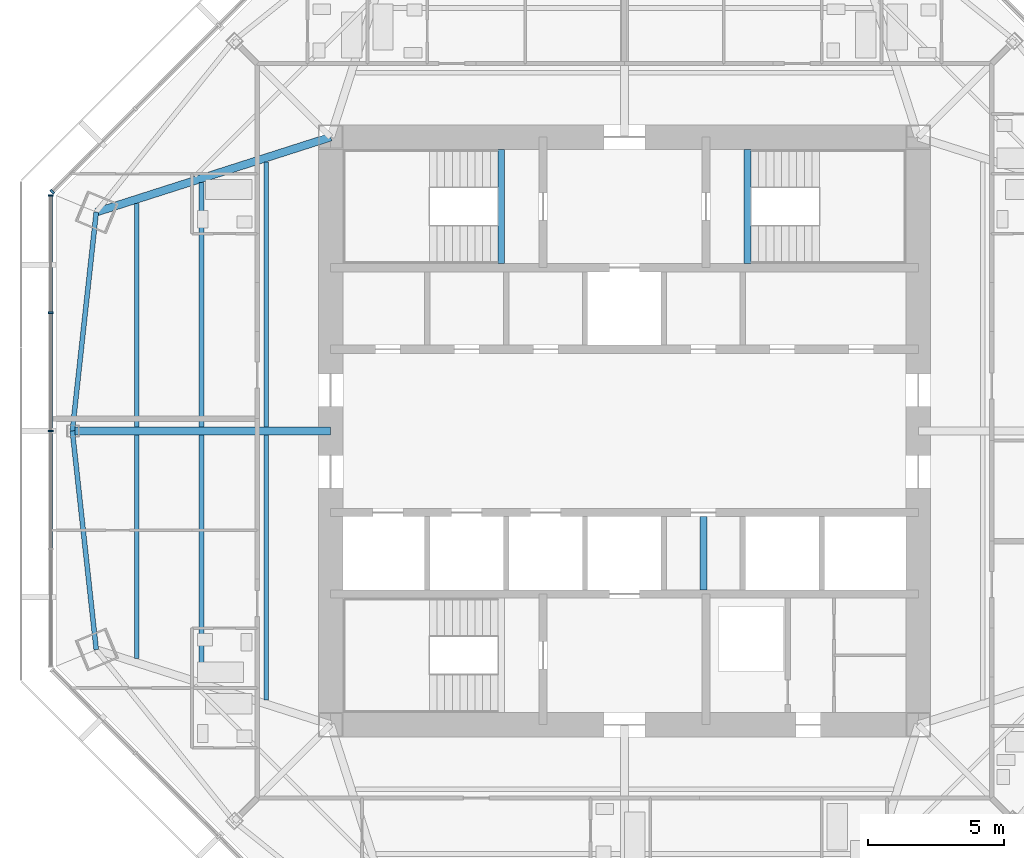
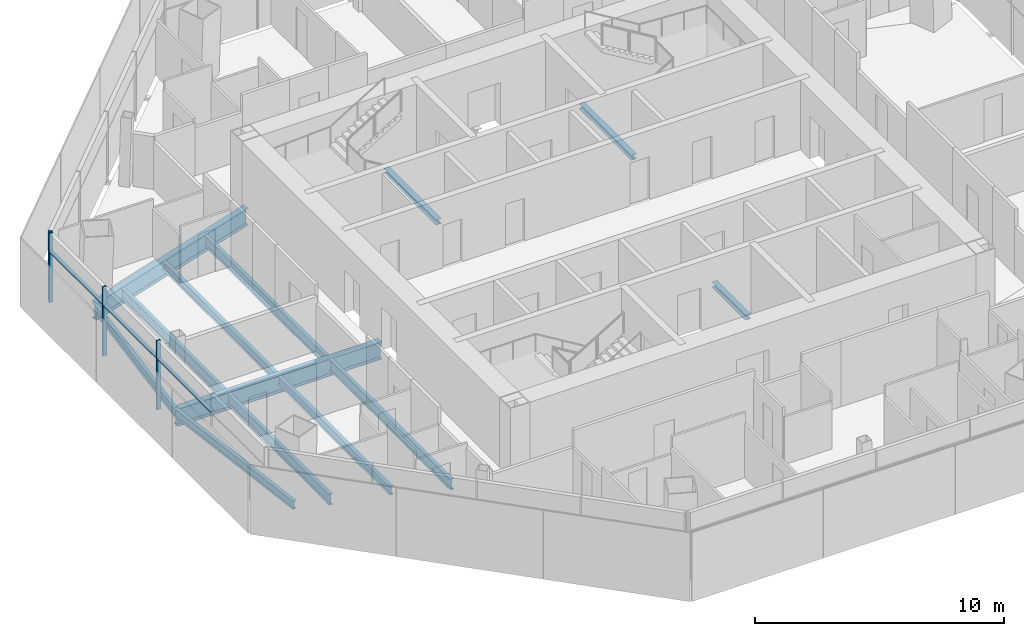
# One storey, part 3 of 14: 13 beams, 7 members, 2 elements without a shape of their own.
"""IFC4 building model written with IfcOpenShell, lengths in metres."""

from ifc_helpers import new_model, si_unit, direction, frame, origin, origin_2d, place, context, subcontext, project, spatial, rectangle, i_section, extrude, source, transform, mapped, material, material_profile, profile_set, type_object, type_shapes, element, aggregate, save


model = new_model("IFC4")

# Units and contexts
model_context = context("Model", 3, precision=1e-05, world=origin(), true_north=direction((0.0, 1.0)))
body_context = subcontext(model_context, "Body", "Model", "MODEL_VIEW")
ifc_project = project(units=[si_unit("LENGTHUNIT", "METRE"), si_unit("AREAUNIT", "SQUARE_METRE"), si_unit("VOLUMEUNIT", "CUBIC_METRE"), si_unit("PLANEANGLEUNIT", "RADIAN"), si_unit("MASSUNIT", "GRAM", prefix="KILO")], contexts=[model_context])

# Site, building, storey
site_placement = place(None, origin())
site = spatial("IfcSite", under=ifc_project, at=site_placement, CompositionType="ELEMENT")
building_placement = place(site_placement, origin())
building = spatial("IfcBuilding", under=site, at=building_placement, Name="Mashrafa Tower", CompositionType="ELEMENT")
storey_placement = place(building_placement, frame((0.0, 0.0, 244.800048828125)))
storey = spatial("IfcBuildingStorey", under=building, at=storey_placement, Name="L58", CompositionType="ELEMENT", Elevation=244.800048828125)

# Beams
ifc_material_1 = material(Name="Steel ASTM A992", Category="steel")
ifc_material_profile_1 = material_profile(ifc_material_1, i_section(OverallWidth=0.177734375, OverallDepth=0.406494140625, WebThickness=0.0078125, FlangeThickness=0.012939453125, FilletRadius=0.01025390625, at=origin_2d()), Name="W16X40")
ifc_profile_set_1 = profile_set([ifc_material_profile_1], Name="Steel ASTM A992")
beam_type_1 = type_object("IfcBeamType", Name="Beam W16X40", PredefinedType="BEAM", material=ifc_profile_set_1)
for number, where, z_axis, x_axis, name in (
    (1, (-15.547607421875, -9.127685546875, -0.4033203125), (0.0, 1.0, 0.0), (-1.0, 0.0, 0.0), "Floor beam L58 004"),
    (2, (-15.547607421875, 0.14599609375, -0.4033203125), (0.0, 1.0, 0.0), (-1.0, 0.0, 0.0), "Floor beam L58 005"),
):
    element("IfcBeam", number, at=place(storey_placement, frame(where, z_axis=z_axis, x_axis=x_axis)), inside=storey, type_object=beam_type_1, Name=name, PredefinedType="BEAM", context=body_context, shape_type="SweptSolid", body=[
        extrude(i_section(OverallWidth=0.177734375, OverallDepth=0.406494140625, WebThickness=0.0078125, FlangeThickness=0.012939453125, FilletRadius=0.01025390625, at=origin_2d()), origin(), (0.0, 0.0, 1.0), 8.981689453125),
    ])
for number, where, z_axis, x_axis, name in (
    (3, (-20.29541015625, 0.0, -0.4033203125), (0.108573300207, -0.994088446006, 0.0), (0.994088446006, 0.108573300207, 0.0), "Spandrel beam L58 049"),
    (4, (-19.4169921875, 8.042724609375, -0.4033203125), (-0.108573300207, -0.994088446006, 0.0), (0.994088446006, -0.108573300207, 0.0), "Spandrel beam L58 051"),
):
    element("IfcBeam", number, at=place(storey_placement, frame(where, z_axis=z_axis, x_axis=x_axis)), inside=storey, type_object=beam_type_1, Name=name, PredefinedType="BEAM", context=body_context, shape_type="SweptSolid", body=[
        extrude(i_section(OverallWidth=0.177734375, OverallDepth=0.406494140625, WebThickness=0.0078125, FlangeThickness=0.012939453125, FilletRadius=0.01025390625, at=origin_2d()), origin(), (0.0, 0.0, 1.0), 8.090576171875),
    ])
ifc_material_2 = material(Name="Steel ASTM A992", Category="steel")
ifc_material_profile_2 = material_profile(ifc_material_2, i_section(OverallWidth=0.165771484375, OverallDepth=0.5283203125, WebThickness=0.009765625, FlangeThickness=0.013671875, FilletRadius=0.012939453125, at=origin_2d()), Name="W21X50")
ifc_profile_set_2 = profile_set([ifc_material_profile_2], Name="Steel ASTM A992")
beam_type_2 = type_object("IfcBeamType", Name="Beam W21X50", PredefinedType="BEAM", material=ifc_profile_set_2)
for number, where, z_axis, x_axis, name in (
    (5, (-17.92138671875, -8.3681640625, -0.464111328125), (0.0, 1.0, 0.0), (-1.0, 0.0, 0.0), "Floor beam L58 001"),
    (6, (-17.92138671875, 0.14599609375, -0.464111328125), (0.0, 1.0, 0.0), (-1.0, 0.0, 0.0), "Floor beam L58 002"),
):
    element("IfcBeam", number, at=place(storey_placement, frame(where, z_axis=z_axis, x_axis=x_axis)), inside=storey, type_object=beam_type_2, Name=name, PredefinedType="BEAM", context=body_context, shape_type="SweptSolid", body=[
        extrude(i_section(OverallWidth=0.165771484375, OverallDepth=0.5283203125, WebThickness=0.009765625, FlangeThickness=0.013671875, FilletRadius=0.012939453125, at=origin_2d()), origin(), (0.0, 0.0, 1.0), 8.22216796875),
    ])
for number, where, z_axis, x_axis, name in (
    (7, (-13.173828125, -9.88720703125, -0.464111328125), (0.0, 1.0, 0.0), (-1.0, 0.0, 0.0), "Floor beam L58 006"),
    (8, (-13.173828125, 0.14599609375, -0.464111328125), (0.0, 1.0, 0.0), (-1.0, 0.0, 0.0), "Floor beam L58 007"),
):
    element("IfcBeam", number, at=place(storey_placement, frame(where, z_axis=z_axis, x_axis=x_axis)), inside=storey, type_object=beam_type_2, Name=name, PredefinedType="BEAM", context=body_context, shape_type="SweptSolid", body=[
        extrude(i_section(OverallWidth=0.165771484375, OverallDepth=0.5283203125, WebThickness=0.009765625, FlangeThickness=0.013671875, FilletRadius=0.012939453125, at=origin_2d()), origin(), (0.0, 0.0, 1.0), 9.7412109375),
    ])
ifc_material_3 = material(Name="Steel ASTM A992", Category="steel")
ifc_material_profile_3 = material_profile(ifc_material_3, i_section(OverallWidth=0.2919921875, OverallDepth=0.8408203125, WebThickness=0.0146484375, FlangeThickness=0.021728515625, FilletRadius=0.017333984375, at=origin_2d()), Name="W33X130")
ifc_profile_set_3 = profile_set([ifc_material_profile_3], Name="Steel ASTM A992")
beam_type_3 = type_object("IfcBeamType", Name="Beam W33X130", PredefinedType="BEAM", material=ifc_profile_set_3)
beam_1_placement = place(storey_placement, frame((-10.800048828125, 10.800048828125, -0.620361328125), z_axis=(-0.952427280358, -0.304765935809, 0.0), x_axis=(0.304765935809, -0.952427280358, 0.0)))
element("IfcBeam", 9, at=beam_1_placement, inside=storey, type_object=beam_type_3, Name="Radial girder L58 037", PredefinedType="BEAM", context=body_context, shape_type="SweptSolid", body=[
    extrude(i_section(OverallWidth=0.2919921875, OverallDepth=0.8408203125, WebThickness=0.0146484375, FlangeThickness=0.021728515625, FilletRadius=0.017333984375, at=origin_2d()), origin(), (0.0, 0.0, 1.0), 9.04736328125),
])
ifc_material_4 = material(Name="Steel ASTM A992", Category="steel")
ifc_material_profile_4 = material_profile(ifc_material_4, i_section(OverallWidth=0.2919921875, OverallDepth=0.8583984375, WebThickness=0.01708984375, FlangeThickness=0.031005859375, FilletRadius=0.017822265625, at=origin_2d()), Name="W33X169")
ifc_profile_set_4 = profile_set([ifc_material_profile_4], Name="Steel ASTM A992")
beam_type_4 = type_object("IfcBeamType", Name="Beam W33X169", PredefinedType="BEAM", material=ifc_profile_set_4)
beam_2_placement = place(storey_placement, frame((-10.800048828125, 0.0, -0.62939453125), z_axis=(-1.0, 0.0, 0.0), x_axis=(0.0, -1.0, 0.0)))
element("IfcBeam", 10, at=beam_2_placement, inside=storey, type_object=beam_type_4, Name="Radial girder L58 036", PredefinedType="BEAM", context=body_context, shape_type="SweptSolid", body=[
    extrude(i_section(OverallWidth=0.2919921875, OverallDepth=0.8583984375, WebThickness=0.01708984375, FlangeThickness=0.031005859375, FilletRadius=0.017822265625, at=origin_2d()), origin(), (0.0, 0.0, 1.0), 9.495361328125),
])
ifc_material_5 = material(Name="Steel ASTM A992", Category="steel")
ifc_material_profile_5 = material_profile(ifc_material_5, i_section(OverallWidth=0.25390625, OverallDepth=0.25390625, WebThickness=0.008544921875, FlangeThickness=0.01416015625, FilletRadius=0.010009765625, at=origin_2d()), Name="W10X49")
ifc_profile_set_5 = profile_set([ifc_material_profile_5], Name="Steel ASTM A992")
beam_type_5 = type_object("IfcBeamType", Name="Hoistway beam W10X49", PredefinedType="BEAM", material=ifc_profile_set_5)
beam_3_placement = place(storey_placement, frame((2.89990234375, -5.85009765625, -0.3271484375), z_axis=(0.0, 1.0, 0.0), x_axis=(-1.0, 0.0, 0.0)))
element("IfcBeam", 11, at=beam_3_placement, inside=storey, type_object=beam_type_5, Name="Hoistway beam L58 07", PredefinedType="BEAM", context=body_context, shape_type="SweptSolid", body=[
    extrude(i_section(OverallWidth=0.25390625, OverallDepth=0.25390625, WebThickness=0.008544921875, FlangeThickness=0.01416015625, FilletRadius=0.010009765625, at=origin_2d()), origin(), (0.0, 0.0, 1.0), 2.7001953125),
])
for number, where, z_axis, x_axis, name in (
    (12, (-4.530029296875, 6.14990234375, -0.3271484375), (0.0, 1.0, 0.0), (-1.0, 0.0, 0.0), "Stair S1 landing beam L58"),
    (13, (4.530029296875, 6.14990234375, -0.3271484375), (0.0, 1.0, 0.0), (-1.0, 0.0, 0.0), "Stair S2 landing beam L58"),
):
    element("IfcBeam", number, at=place(storey_placement, frame(where, z_axis=z_axis, x_axis=x_axis)), inside=storey, type_object=beam_type_5, Name=name, PredefinedType="BEAM", context=body_context, shape_type="SweptSolid", body=[
        extrude(i_section(OverallWidth=0.25390625, OverallDepth=0.25390625, WebThickness=0.008544921875, FlangeThickness=0.01416015625, FilletRadius=0.010009765625, at=origin_2d()), origin(), (0.0, 0.0, 1.0), 4.2001953125),
    ])

# Curtain wall, member
ifc_material_6 = material(Name="Unitised aluminium curtain wall", Category="aluminium")
curtain_wall_type = type_object("IfcCurtainWallType", Name="Apartment curtain wall, zone 3 CW-C 180 deep", PredefinedType="NOTDEFINED", material=ifc_material_6)
curtain_wall_1_placement = place(storey_placement, origin())
curtain_wall_1 = element("IfcCurtainWall", 14, at=curtain_wall_1_placement, inside=storey, type_object=curtain_wall_type, Name="Apartment curtain wall, zone 3 L58 north-west", PredefinedType="NOTDEFINED")
ifc_material_7 = material(Name="Extruded aluminium mullion", Category="aluminium")
ifc_material_profile_6 = material_profile(ifc_material_7, rectangle(XDim=0.179931640625, YDim=0.06005859375, at=origin_2d()), Name="Mullion 60x180")
ifc_profile_set_6 = profile_set([ifc_material_profile_6], Name="Extruded aluminium mullion")
member_type_1 = type_object("IfcMemberType", Name="Mullion CW-C 60 x 180", PredefinedType="MULLION", material=ifc_profile_set_6)
shared_shape_1 = source(origin(), body_context, "Body", "SweptSolid", [
    extrude(rectangle(XDim=0.179931640625, YDim=0.06005859375, at=origin_2d()), origin(), (0.0, 0.0, 1.0), 3.39990234375),
])
type_shapes(member_type_1, [shared_shape_1])
member_1_placement = place(storey_placement, frame((-21.034912109375, 8.790283203125, 0.0), z_axis=(0.0, 0.0, 1.0), x_axis=(0.707106781187, -0.707106781187, 0.0)))
member_1 = element("IfcMember", 15, at=member_1_placement, type_object=member_type_1, Name="CW-C mullion 5", PredefinedType="MULLION", context=body_context, shape_type="MappedRepresentation", body=[
    mapped(shared_shape_1, transform((0.0, 0.0, 0.0))),
])
aggregate(curtain_wall_1, [member_1])

# Curtain wall, members
curtain_wall_2_placement = place(storey_placement, origin())
curtain_wall_2 = element("IfcCurtainWall", 16, at=curtain_wall_2_placement, inside=storey, type_object=curtain_wall_type, Name="Apartment curtain wall, zone 3 L58 west", PredefinedType="NOTDEFINED")
member_2_placement = place(storey_placement, frame((-21.089599609375, 8.658447265625, 0.0), z_axis=(0.0, 0.0, 1.0), x_axis=(1.0, 0.0, 0.0)))
member_2 = element("IfcMember", 17, at=member_2_placement, type_object=member_type_1, Name="CW-C mullion 1", PredefinedType="MULLION", context=body_context, shape_type="MappedRepresentation", body=[
    mapped(shared_shape_1, transform((0.0, 0.0, 0.0))),
])
member_3_placement = place(storey_placement, frame((-21.089599609375, 4.34423828125, 0.0), z_axis=(0.0, 0.0, 1.0), x_axis=(1.0, 0.0, 0.0)))
member_3 = element("IfcMember", 18, at=member_3_placement, type_object=member_type_1, Name="CW-C mullion 2", PredefinedType="MULLION", context=body_context, shape_type="MappedRepresentation", body=[
    mapped(shared_shape_1, transform((0.0, 0.0, 0.0))),
])
member_4_placement = place(storey_placement, frame((-21.089599609375, 0.0, 0.0), z_axis=(0.0, 0.0, 1.0), x_axis=(1.0, 0.0, 0.0)))
member_4 = element("IfcMember", 19, at=member_4_placement, type_object=member_type_1, Name="CW-C mullion 3", PredefinedType="MULLION", context=body_context, shape_type="MappedRepresentation", body=[
    mapped(shared_shape_1, transform((0.0, 0.0, 0.0))),
])
ifc_material_8 = material(Name="Extruded aluminium transom", Category="aluminium")
ifc_material_profile_7 = material_profile(ifc_material_8, rectangle(XDim=0.14404296875, YDim=0.074951171875, at=origin_2d()), Name="Transom 75x144")
ifc_profile_set_7 = profile_set([ifc_material_profile_7], Name="Extruded aluminium transom")
member_type_2 = type_object("IfcMemberType", Name="Transom CW-C 75 x 144", PredefinedType="MULLION", material=ifc_profile_set_7)
shared_shape_2 = source(origin(), body_context, "Body", "SweptSolid", [
    extrude(rectangle(XDim=0.14404296875, YDim=0.074951171875, at=origin_2d()), origin(), (0.0, 0.0, 1.0), 4.254150390625),
])
member_5_placement = place(storey_placement, frame((-21.089599609375, 8.62841796875, 2.5), z_axis=(0.0, -1.0, 0.0), x_axis=(1.0, 0.0, 0.0)))
member_5 = element("IfcMember", 20, at=member_5_placement, type_object=member_type_2, Name="CW-C transom 1", PredefinedType="MULLION", context=body_context, shape_type="MappedRepresentation", body=[
    mapped(shared_shape_2, transform((0.0, 0.0, 0.0))),
])
shared_shape_3 = source(origin(), body_context, "Body", "SweptSolid", [
    extrude(rectangle(XDim=0.14404296875, YDim=0.074951171875, at=origin_2d()), origin(), (0.0, 0.0, 1.0), 4.2841796875),
])
type_shapes(member_type_2, [shared_shape_2, shared_shape_3])
member_6_placement = place(storey_placement, frame((-21.089599609375, 4.314208984375, 2.5), z_axis=(0.0, -1.0, 0.0), x_axis=(1.0, 0.0, 0.0)))
member_6 = element("IfcMember", 21, at=member_6_placement, type_object=member_type_2, Name="CW-C transom 2", PredefinedType="MULLION", context=body_context, shape_type="MappedRepresentation", body=[
    mapped(shared_shape_3, transform((0.0, 0.0, 0.0))),
])
member_7_placement = place(storey_placement, frame((-21.089599609375, -0.030029296875, 2.5), z_axis=(0.0, -1.0, 0.0), x_axis=(1.0, 0.0, 0.0)))
member_7 = element("IfcMember", 22, at=member_7_placement, type_object=member_type_2, Name="CW-C transom 3", PredefinedType="MULLION", context=body_context, shape_type="MappedRepresentation", body=[
    mapped(shared_shape_3, transform((0.0, 0.0, 0.0))),
])
aggregate(curtain_wall_2, [member_2, member_3, member_4, member_5, member_6, member_7])

save(model, "model.ifc")
